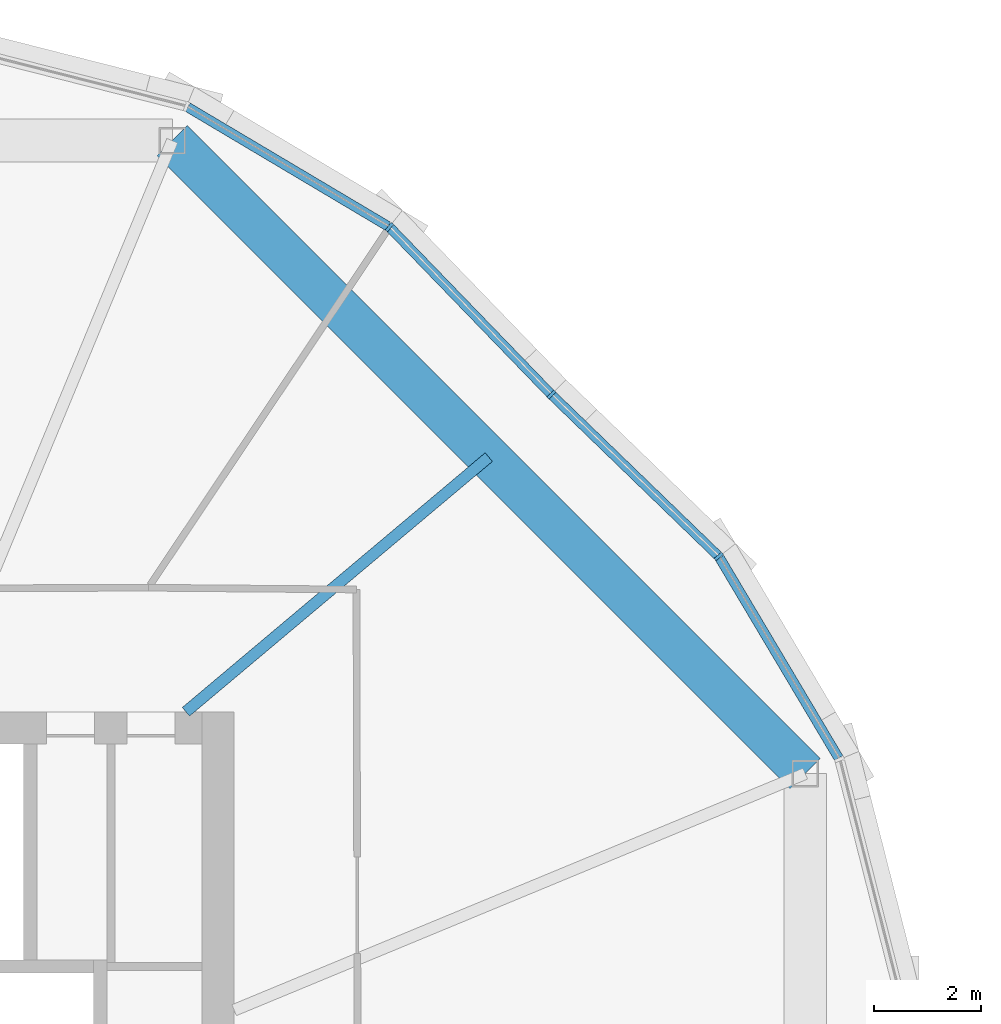
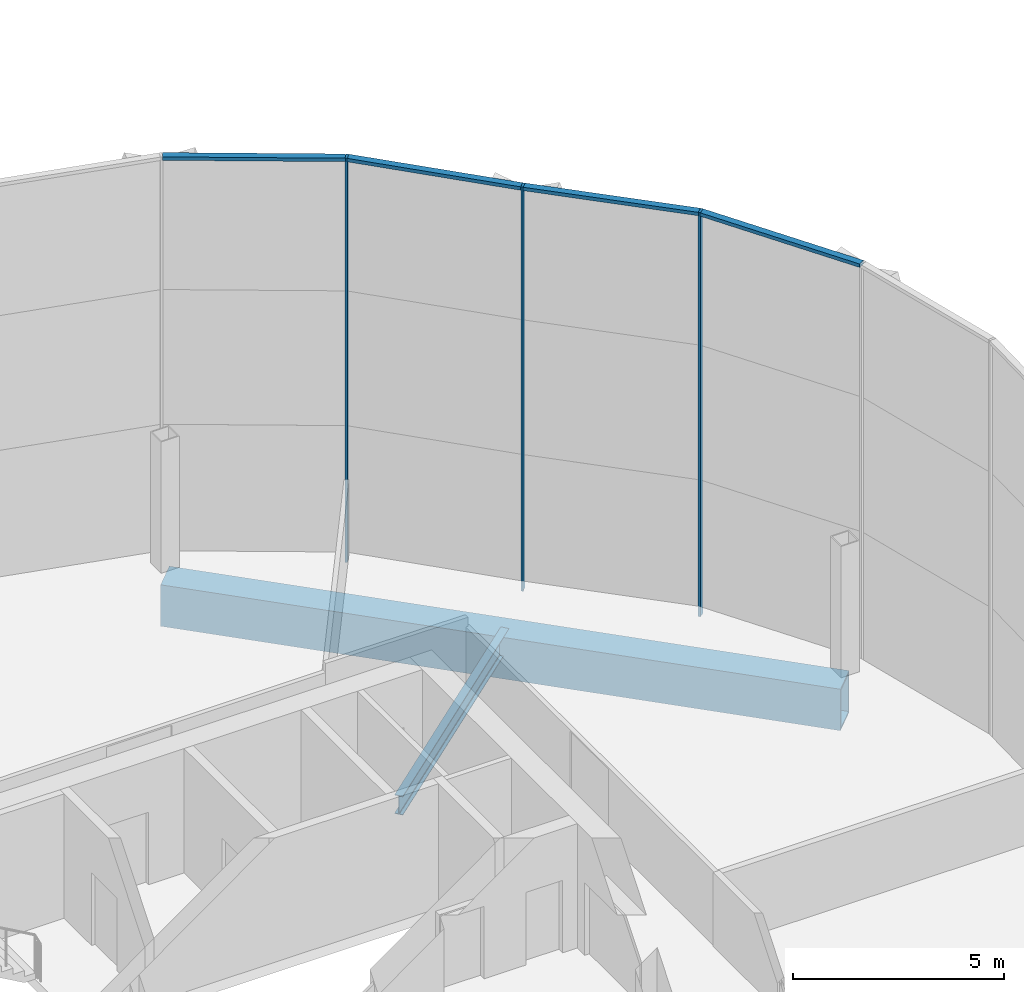
# One storey, part 7 of 23: 7 members, 2 beams, 2 elements without a shape of their own.
"""IFC4 building model written with IfcOpenShell, lengths in metres."""

from ifc_helpers import new_model, si_unit, direction, frame, origin, origin_2d, place, context, subcontext, project, spatial, rectangle, hollow_rectangle, i_section, extrude, material, material_profile, profile_set, type_object, element, aggregate, save


model = new_model("IFC4")

# Units and contexts
model_context = context("Model", 3, precision=1e-05, world=origin(), true_north=direction((0.0, 1.0)))
body_context = subcontext(model_context, "Body", "Model", "MODEL_VIEW")
ifc_project = project(units=[si_unit("LENGTHUNIT", "METRE"), si_unit("AREAUNIT", "SQUARE_METRE"), si_unit("VOLUMEUNIT", "CUBIC_METRE"), si_unit("PLANEANGLEUNIT", "RADIAN"), si_unit("MASSUNIT", "GRAM", prefix="KILO")], contexts=[model_context])

# Site, building, storey
site_placement = place(None, origin())
site = spatial("IfcSite", under=ifc_project, at=site_placement, CompositionType="ELEMENT")
building_placement = place(site_placement, origin())
building = spatial("IfcBuilding", under=site, at=building_placement, Name="Ogive Gate Towers", CompositionType="ELEMENT")
storey_placement = place(building_placement, frame((0.0, 0.0, 177.300048828125)))
storey = spatial("IfcBuildingStorey", under=building, at=storey_placement, Name="L42", CompositionType="ELEMENT", Elevation=177.300048828125)

# Beams
ifc_material_1 = material(Name="Steel SM460", Category="steel")
ifc_material_profile_1 = material_profile(ifc_material_1, hollow_rectangle(XDim=0.800048828125, YDim=1.199951171875, WallThickness=0.050048828125, at=origin_2d()), Name="BX 1200x800x50")
ifc_profile_set_1 = profile_set([ifc_material_profile_1], Name="Steel SM460")
beam_type_1 = type_object("IfcBeamType", Name="Edge girder BX 1200x800x50", PredefinedType="BEAM", material=ifc_profile_set_1)
beam_1_placement = place(storey_placement, frame((-15.85009765625, 8.346435546875, -0.900146484375), z_axis=(-0.707106781187, 0.707106781187, 0.0), x_axis=(-0.707106781187, -0.707106781187, 0.0)))
element("IfcBeam", 1, at=beam_1_placement, inside=storey, type_object=beam_type_1, Name="T1/L42/SBM021", PredefinedType="BEAM", context=body_context, shape_type="SweptSolid", body=[
    extrude(hollow_rectangle(XDim=0.800048828125, YDim=1.199951171875, WallThickness=0.050048828125, at=origin_2d()), origin(), (0.0, 0.0, 1.0), 16.692626953125),
])
ifc_material_2 = material(Name="Steel SM355", Category="steel")
ifc_material_profile_2 = material_profile(ifc_material_2, i_section(OverallWidth=0.2099609375, OverallDepth=0.550048828125, WebThickness=0.010986328125, FlangeThickness=0.01708984375, FilletRadius=0.02392578125, at=origin_2d()), Name="IPE 550")
ifc_profile_set_2 = profile_set([ifc_material_profile_2], Name="Steel SM355")
beam_type_2 = type_object("IfcBeamType", Name="Radial floor beam IPE 550", PredefinedType="BEAM", material=ifc_profile_set_2)
beam_2_placement = place(storey_placement, frame((-27.39990234375, 9.5, -0.574951171875), z_axis=(0.76545320234, 0.643491565622, 0.0), x_axis=(-0.643491565622, 0.76545320234, 0.0)))
element("IfcBeam", 2, at=beam_2_placement, inside=storey, type_object=beam_type_2, Name="T1/L42/SBM010", PredefinedType="BEAM", context=body_context, shape_type="SweptSolid", body=[
    extrude(i_section(OverallWidth=0.2099609375, OverallDepth=0.550048828125, WebThickness=0.010986328125, FlangeThickness=0.01708984375, FilletRadius=0.02392578125, at=origin_2d()), origin(), (0.0, 0.0, 1.0), 7.378662109375),
])

# Curtain wall, members
ifc_material_3 = material(Name="Pale metal aluminium", Category="aluminium")
curtain_wall_type = type_object("IfcCurtainWallType", Name="Tower unitised wall, high zone", PredefinedType="NOTDEFINED", material=ifc_material_3)
curtain_wall_1_placement = place(storey_placement, origin())
curtain_wall_1 = element("IfcCurtainWall", 3, at=curtain_wall_1_placement, inside=storey, type_object=curtain_wall_type, Name="CW2 T1 ECW01", PredefinedType="NOTDEFINED")
ifc_material_profile_3 = material_profile(ifc_material_3, rectangle(XDim=0.179931640625, YDim=0.06005859375, at=origin_2d()), Name="60 x 180 aluminium box")
ifc_profile_set_3 = profile_set([ifc_material_profile_3], Name="Pale metal aluminium")
member_type_1 = type_object("IfcMemberType", Name="Tower unitised wall, high zone mullion 60 x 180", PredefinedType="MULLION", material=ifc_profile_set_3)
member_1_placement = place(storey_placement, frame((-17.461669921875, 12.3955078125, -0.300048828125), z_axis=(0.0, 0.0, 1.0), x_axis=(0.784235212544, 0.620463642292, 0.0)))
member_1 = element("IfcMember", 4, at=member_1_placement, type_object=member_type_1, Name="CW2 mullion", PredefinedType="MULLION", context=body_context, shape_type="SweptSolid", body=[
    extrude(rectangle(XDim=0.179931640625, YDim=0.06005859375, at=origin_2d()), origin(), (0.0, 0.0, 1.0), 11.699951171875),
])
member_2_placement = place(storey_placement, frame((-20.5849609375, 15.414794921875, -0.300048828125), z_axis=(0.0, 0.0, 1.0), x_axis=(0.69504746905, 0.71896384872, 0.0)))
member_2 = element("IfcMember", 5, at=member_2_placement, type_object=member_type_1, Name="CW2 mullion", PredefinedType="MULLION", context=body_context, shape_type="SweptSolid", body=[
    extrude(rectangle(XDim=0.179931640625, YDim=0.06005859375, at=origin_2d()), origin(), (0.0, 0.0, 1.0), 11.699951171875),
])

# Curtain wall, member
curtain_wall_2_placement = place(storey_placement, origin())
curtain_wall_2 = element("IfcCurtainWall", 6, at=curtain_wall_2_placement, inside=storey, type_object=curtain_wall_type, Name="CW2 T1 ECW02", PredefinedType="NOTDEFINED")
member_3_placement = place(storey_placement, frame((-23.6044921875, 18.538330078125, -0.300048828125), z_axis=(0.0, 0.0, 1.0), x_axis=(0.620463642292, 0.784235212544, 0.0)))
member_3 = element("IfcMember", 7, at=member_3_placement, type_object=member_type_1, Name="CW2 mullion", PredefinedType="MULLION", context=body_context, shape_type="SweptSolid", body=[
    extrude(rectangle(XDim=0.179931640625, YDim=0.06005859375, at=origin_2d()), origin(), (0.0, 0.0, 1.0), 11.699951171875),
])

# Member
ifc_material_profile_4 = material_profile(ifc_material_3, rectangle(XDim=0.179931640625, YDim=0.10009765625, at=origin_2d()), Name="100 x 180 aluminium box")
ifc_profile_set_4 = profile_set([ifc_material_profile_4], Name="Pale metal aluminium")
member_type_2 = type_object("IfcMemberType", Name="Tower unitised wall, high zone transom 100 x 180", PredefinedType="USERDEFINED", material=ifc_profile_set_4)
member_4_placement = place(storey_placement, frame((-15.226318359375, 8.63525390625, 11.349853515625), z_axis=(-0.511038375885, 0.859557897045, 0.0), x_axis=(-0.859557897045, -0.511038375885, 0.0)))
member_4 = element("IfcMember", 8, at=member_4_placement, type_object=member_type_2, Name="CW2 transom", ObjectType="TRANSOM", PredefinedType="USERDEFINED", context=body_context, shape_type="SweptSolid", body=[
    extrude(rectangle(XDim=0.179931640625, YDim=0.10009765625, at=origin_2d()), origin(), (0.0, 0.0, 1.0), 4.345947265625),
])

member_5_placement = place(storey_placement, frame((-17.482421875, 12.41552734375, 11.349853515625), z_axis=(-0.718969396477, 0.695041730351, 0.0), x_axis=(-0.695041730351, -0.718969396477, 0.0)))
member_5 = element("IfcMember", 9, at=member_5_placement, type_object=member_type_2, Name="CW2 transom", ObjectType="TRANSOM", PredefinedType="USERDEFINED", context=body_context, shape_type="SweptSolid", body=[
    extrude(rectangle(XDim=0.179931640625, YDim=0.10009765625, at=origin_2d()), origin(), (0.0, 0.0, 1.0), 4.285400390625),
])

aggregate(curtain_wall_1, [member_1, member_4, member_2, member_5])

member_6_placement = place(storey_placement, frame((-20.60595703125, 15.4365234375, 11.349853515625), z_axis=(-0.695041730351, 0.718969396477, 0.0), x_axis=(-0.718969396477, -0.695041730351, 0.0)))
member_6 = element("IfcMember", 10, at=member_6_placement, type_object=member_type_2, Name="CW2 transom", ObjectType="TRANSOM", PredefinedType="USERDEFINED", context=body_context, shape_type="SweptSolid", body=[
    extrude(rectangle(XDim=0.179931640625, YDim=0.10009765625, at=origin_2d()), origin(), (0.0, 0.0, 1.0), 4.285400390625),
])

member_7_placement = place(storey_placement, frame((-23.629150390625, 18.552734375, 11.349853515625), z_axis=(-0.859557897045, 0.511038375885, 0.0), x_axis=(-0.511038375885, -0.859557897045, 0.0)))
member_7 = element("IfcMember", 11, at=member_7_placement, type_object=member_type_2, Name="CW2 transom", ObjectType="TRANSOM", PredefinedType="USERDEFINED", context=body_context, shape_type="SweptSolid", body=[
    extrude(rectangle(XDim=0.179931640625, YDim=0.10009765625, at=origin_2d()), origin(), (0.0, 0.0, 1.0), 4.345947265625),
])

aggregate(curtain_wall_2, [member_3, member_6, member_7])

save(model, "model.ifc")
